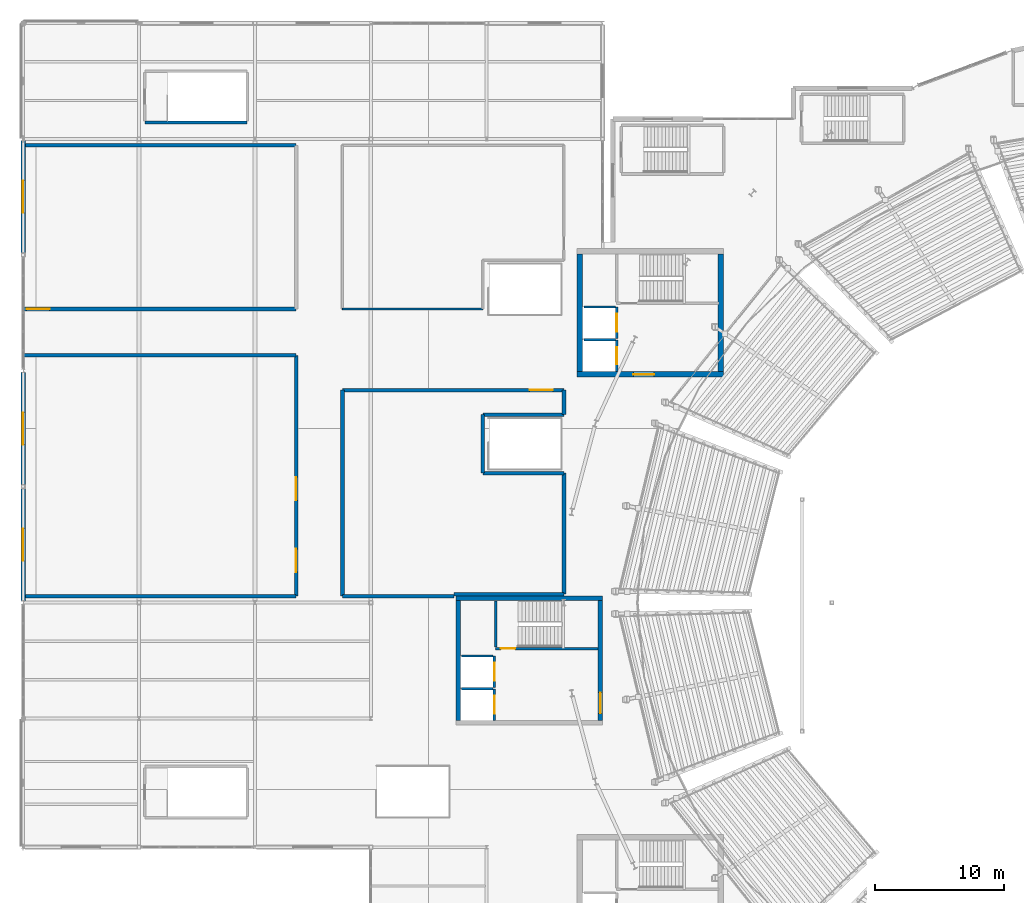
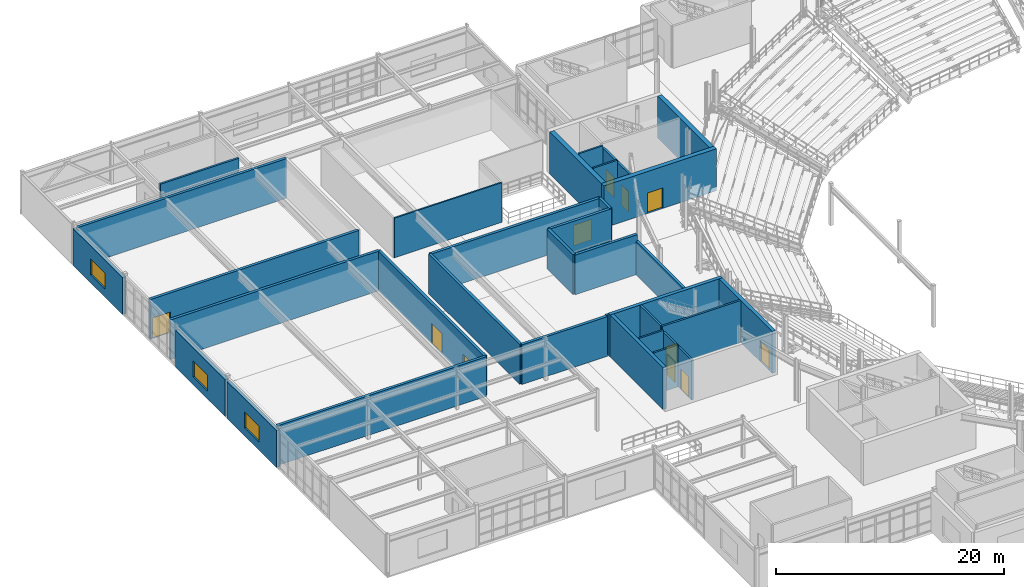
# One storey, part 56 of 81: 35 walls, 11 doors, 3 windows, 14 openings.
"""IFC4 building model written with IfcOpenShell, lengths in metres."""

import ifcopenshell
import ifcopenshell.guid

model = None  # the IFC model being written
_history = None  # IfcOwnerHistory: only IFC2X3 demands one
_inside = {}  # id of a spatial element -> (the spatial element, [elements in it])
_under = {}  # id of a project, library or spatial element -> (it, [spatial elements below it])
_declared = {}  # id of a project -> (the project, [libraries it declares])
_typed = {}  # id of a type object -> (the type object, [elements of that type])
_made_of = {}  # id of a material, layer set ... -> (it, [elements and type objects made of it])


def new_model(schema):
    """Start an empty IFC model of exactly this schema.

    Asked for "IFC4X3", IfcOpenShell would pick the latest addendum, in which some entities
    have other attributes; the version numbers below select the first issue.
    IFC2X3 requires an IfcOwnerHistory on every rooted entity: one is made here for all.
    """
    global model, _history
    if schema == "IFC4X3":
        model = ifcopenshell.file(schema_version=(4, 3, 0, 0))
    else:
        model = ifcopenshell.file(schema=schema)
    _inside.clear()
    _under.clear()
    _declared.clear()
    _typed.clear()
    _made_of.clear()
    _history = None
    if model.schema == "IFC2X3":
        org = make("IfcOrganization", Name="unknown")
        user = make(
            "IfcPersonAndOrganization",
            ThePerson=make("IfcPerson", FamilyName="unknown"),
            TheOrganization=org,
        )
        app = make(
            "IfcApplication",
            ApplicationDeveloper=org,
            Version="unknown",
            ApplicationFullName="unknown",
            ApplicationIdentifier="unknown",
        )
        _history = make(
            "IfcOwnerHistory",
            OwningUser=user,
            OwningApplication=app,
            ChangeAction="ADDED",
            CreationDate=0,
        )
    return model


def make(cls, **values):
    """One entity of the class cls with the attributes given. An attribute that is None is left unset."""
    return model.create_entity(
        cls, **{name: value for name, value in values.items() if value is not None}
    )


def rooted(cls, **values):
    """An entity with a GlobalId (a new one), such as an element, a storey or a relation."""
    return make(cls, GlobalId=ifcopenshell.guid.new(), OwnerHistory=_history, **values)


def si_unit(unit_type, name, prefix=None):
    """IfcSIUnit, for example si_unit("LENGTHUNIT", "METRE", prefix="MILLI")."""
    return make("IfcSIUnit", UnitType=unit_type, Prefix=prefix, Name=name)


def assignment(units):
    """IfcUnitAssignment: the units of a project."""
    return None if units is None else make("IfcUnitAssignment", Units=units)


def point(xyz):
    """IfcCartesianPoint."""
    return None if xyz is None else make("IfcCartesianPoint", Coordinates=xyz)


def direction(xyz):
    """IfcDirection."""
    return None if xyz is None else make("IfcDirection", DirectionRatios=xyz)


def frame(location, z_axis=None, x_axis=None):
    """IfcAxis2Placement3D, a coordinate frame: its origin and axes. An axis left out is left unset."""
    return make(
        "IfcAxis2Placement3D",
        Location=point(location),
        Axis=direction(z_axis),
        RefDirection=direction(x_axis),
    )


def frame_2d(location, x_axis=None):
    """IfcAxis2Placement2D, a coordinate frame in the plane: its origin and x axis."""
    return make(
        "IfcAxis2Placement2D", Location=point(location), RefDirection=direction(x_axis)
    )


def origin():
    """The frame at (0, 0, 0) with its axes left unset."""
    return frame((0.0, 0.0, 0.0))


def place(relative_to, where):
    """IfcLocalPlacement: puts the frame where relative to a parent placement (None: the world)."""
    return make(
        "IfcLocalPlacement", PlacementRelTo=relative_to, RelativePlacement=where
    )


def context(
    kind, dimensions, precision=None, world=None, true_north=None, identifier=None
):
    """IfcGeometricRepresentationContext, for example the 3D "Model" context."""
    return make(
        "IfcGeometricRepresentationContext",
        ContextIdentifier=identifier,
        ContextType=kind,
        CoordinateSpaceDimension=dimensions,
        Precision=precision,
        WorldCoordinateSystem=world,
        TrueNorth=true_north,
    )


def subcontext(parent, identifier, kind, view, scale=None):
    """IfcGeometricRepresentationSubContext, for example "Body" below "Model"."""
    return make(
        "IfcGeometricRepresentationSubContext",
        ContextIdentifier=identifier,
        ContextType=kind,
        ParentContext=parent,
        TargetScale=scale,
        TargetView=view,
    )


def project(units=None, contexts=None):
    """IfcProject with its units and contexts."""
    return rooted(
        "IfcProject",
        Name="project",
        RepresentationContexts=contexts,
        UnitsInContext=assignment(units),
    )


def spatial(cls, under=None, at=None, **own):
    """A site, building, storey or space (cls), placed at a placement, below another one or the project."""
    s = rooted(cls, ObjectPlacement=at, **own)
    if under is not None:
        _under.setdefault(under.id(), (under, []))[1].append(s)
    return s


def profile(cls, at=None, kind="AREA", **sizes):
    """A parametric profile (cls). Its sizes go by their IFC names, for example OverallWidth=200.0."""
    return make(cls, ProfileType=kind, Position=at, **sizes)


def rectangle(**sizes):
    """IfcRectangleProfileDef."""
    return profile("IfcRectangleProfileDef", **sizes)


def extrude(swept, where, along, depth):
    """IfcExtrudedAreaSolid: the profile swept, set in the frame where, extruded along a direction by depth."""
    return make(
        "IfcExtrudedAreaSolid",
        SweptArea=swept,
        Position=where,
        ExtrudedDirection=direction(along),
        Depth=depth,
    )


def shape(context_of_items, identifier, shape_type, items):
    """IfcShapeRepresentation: the items that make up one representation, for example the "Body"."""
    return make(
        "IfcShapeRepresentation",
        ContextOfItems=context_of_items,
        RepresentationIdentifier=identifier,
        RepresentationType=shape_type,
        Items=items,
    )


def material(Name=None, Category=None):
    """IfcMaterial."""
    return make("IfcMaterial", Name=Name, Category=Category)


def layer(
    of_material, thickness, ventilated=None, Name=None, Category=None, Priority=None
):
    """IfcMaterialLayer: one layer of a wall or slab, of a material (None: an air gap)."""
    return make(
        "IfcMaterialLayer",
        Material=of_material,
        LayerThickness=thickness,
        IsVentilated=ventilated,
        Name=Name,
        Category=Category,
        Priority=Priority,
    )


def layer_set(layers, Name=None):
    """IfcMaterialLayerSet."""
    return make("IfcMaterialLayerSet", MaterialLayers=layers, LayerSetName=Name)


def made_of(thing, what):
    """Note that an element or type object is made of a material, layer set ...; save() writes the relation."""
    if what is not None:
        _made_of.setdefault(what.id(), (what, []))[1].append(thing)
    return thing


def type_object(cls, material=None, **own):
    """A type object (cls), such as IfcWallType, which elements share."""
    return made_of(rooted(cls, **own), material)


def element(
    cls,
    number,
    at=None,
    inside=None,
    cuts=None,
    type_object=None,
    material=None,
    context=None,
    identifier="Body",
    shape_type=None,
    held_by="IfcProductDefinitionShape",
    body=None,
    shapes=None,
    **own,
):
    """One element of the class cls, such as IfcWall. Its Tag is "e" and its number.

    at: its placement. inside: the storey or other place that contains it. cuts: it is an
    opening in that element (IfcRelVoidsElement). A single representation is given by context,
    identifier, shape_type and body (its items); several are given by shapes. held_by: the class
    of the entity that holds the representations. save() writes the other relations.
    """
    e = rooted(cls, Tag="e%d" % number, ObjectPlacement=at, **own)
    if body is not None:
        shapes = [shape(context, identifier, shape_type, body)]
    if shapes is not None:
        e.Representation = make(held_by, Representations=shapes)
    if inside is not None:
        _inside.setdefault(inside.id(), (inside, []))[1].append(e)
    if cuts is not None:
        rooted(
            "IfcRelVoidsElement", RelatingBuildingElement=cuts, RelatedOpeningElement=e
        )
    if type_object is not None:
        _typed.setdefault(type_object.id(), (type_object, []))[1].append(e)
    return made_of(e, material)


def fill(opening, filler):
    """IfcRelFillsElement: the door or window that sits in an opening."""
    return rooted(
        "IfcRelFillsElement",
        RelatingOpeningElement=opening,
        RelatedBuildingElement=filler,
    )


def aggregate(whole, parts):
    """IfcRelAggregates: a whole, such as a stair, and the parts it consists of."""
    return rooted("IfcRelAggregates", RelatingObject=whole, RelatedObjects=parts)


def save(model, path):
    """Write the relations noted so far, then the file.

    IfcRelAggregates (storeys below a building ...), IfcRelContainedInSpatialStructure (elements
    in a storey), IfcRelDefinesByType, IfcRelAssociatesMaterial and IfcRelDeclares: one each for
    every whole, place, type object, material and project.
    """
    for whole, parts in _under.values():
        aggregate(whole, parts)
    for where, things in _inside.values():
        rooted(
            "IfcRelContainedInSpatialStructure",
            RelatedElements=things,
            RelatingStructure=where,
        )
    for kind, things in _typed.values():
        rooted("IfcRelDefinesByType", RelatedObjects=things, RelatingType=kind)
    for what, things in _made_of.values():
        rooted("IfcRelAssociatesMaterial", RelatedObjects=things, RelatingMaterial=what)
    for by, libraries in _declared.values():
        rooted("IfcRelDeclares", RelatingContext=by, RelatedDefinitions=libraries)
    model.write(path)


model = new_model("IFC4")

# Units and contexts
model_context = context("Model", 3, precision=1e-05, world=origin(), true_north=direction((0.0, 1.0)))
body_context = subcontext(model_context, "Body", "Model", "MODEL_VIEW")
ifc_project = project(units=[si_unit("LENGTHUNIT", "METRE"), si_unit("AREAUNIT", "SQUARE_METRE"), si_unit("VOLUMEUNIT", "CUBIC_METRE"), si_unit("PLANEANGLEUNIT", "RADIAN"), si_unit("MASSUNIT", "GRAM", prefix="KILO")], contexts=[model_context])

# Site, building, storey
site_placement = place(None, origin())
site = spatial("IfcSite", under=ifc_project, at=site_placement, CompositionType="ELEMENT")
building_placement = place(site_placement, origin())
building = spatial("IfcBuilding", under=site, at=building_placement, Name="Glasvene Arena", CompositionType="ELEMENT")
storey_placement = place(building_placement, frame((0.0, 0.0, 15.0)))
storey = spatial("IfcBuildingStorey", under=building, at=storey_placement, Name="L03", CompositionType="ELEMENT", Elevation=15.0)

# Walls
ifc_material_1 = material(Name="Concrete C40/50", Category="concrete")
ifc_layer_1 = layer(ifc_material_1, 0.35009765625)
ifc_layer_set_1 = layer_set([ifc_layer_1], Name="Concrete C40/50")
wall_type_1 = type_object("IfcWallType", Name="WL-CORE-350", PredefinedType="SHEAR", material=ifc_layer_set_1)
wall_1_placement = place(storey_placement, frame((33.60009765625, 73.324951171875, 0.0), z_axis=(0.0, 0.0, 1.0), x_axis=(1.0, 0.0, 0.0)))
element("IfcWall", 1, at=wall_1_placement, inside=storey, type_object=wall_type_1, Name="Core C5 West Media shear wall N L03", PredefinedType="SHEAR", context=body_context, shape_type="SweptSolid", body=[
    extrude(rectangle(XDim=11.39990234375, YDim=0.35009765625, at=frame_2d((5.699951171875, 0.0))), origin(), (0.0, 0.0, 1.0), 4.5),
])
wall_2_placement = place(storey_placement, frame((33.77490234375, 63.85009765625, 0.0), z_axis=(0.0, 0.0, 1.0), x_axis=(0.0, 1.0, 0.0)))
element("IfcWall", 2, at=wall_2_placement, inside=storey, type_object=wall_type_1, Name="Core C5 West Media shear wall W L03", PredefinedType="SHEAR", context=body_context, shape_type="SweptSolid", body=[
    extrude(rectangle(XDim=9.2998046875, YDim=0.35009765625, at=frame_2d((4.64990234375, 0.0))), origin(), (0.0, 0.0, 1.0), 4.5),
])

# Wall, opening, door
wall_3_placement = place(storey_placement, frame((44.824951171875, 63.85009765625, 0.0), z_axis=(0.0, 0.0, 1.0), x_axis=(0.0, 1.0, 0.0)))
wall_3 = element("IfcWall", 3, at=wall_3_placement, inside=storey, type_object=wall_type_1, Name="Core C5 West Media shear wall E L03", PredefinedType="SHEAR", context=body_context, shape_type="SweptSolid", body=[
    extrude(rectangle(XDim=9.2998046875, YDim=0.35009765625, at=frame_2d((4.64990234375, 0.0))), origin(), (0.0, 0.0, 1.0), 4.5),
])
opening_1_placement = place(wall_3_placement, frame((0.550048828125, 0.0, 0.0)))
opening_1 = element("IfcOpeningElement", 4, at=opening_1_placement, cuts=wall_3, Name="Opening D-02", PredefinedType="OPENING", context=body_context, shape_type="SweptSolid", body=[
    extrude(rectangle(XDim=1.60009765625, YDim=2.199951171875, at=frame_2d((0.800048828125, 1.10009765625))), frame((0.0, 0.18505859375, 0.0), z_axis=(0.0, -1.0, 0.0), x_axis=(1.0, 0.0, 0.0)), (0.0, 0.0, 1.0), 0.3701171875),
])
ifc_material_2 = material(Name="Painted fire-resisting steel", Category="steel")
door_type_1 = type_object("IfcDoorType", Name="DR-FD60-1600", OperationType="DOUBLE_DOOR_SINGLE_SWING", PredefinedType="DOOR", material=ifc_material_2)
door_1_placement = place(opening_1_placement, frame((1.60009765625, 0.0, 0.0), z_axis=(0.0, 0.0, 1.0), x_axis=(-1.0, 0.0, 0.0)))
door_1 = element("IfcDoor", 5, at=door_1_placement, inside=storey, type_object=door_type_1, Name="Core firefighting lobby concourse door C5-L03", OperationType="DOUBLE_DOOR_SINGLE_SWING", OverallHeight=2.199951171875, OverallWidth=1.60009765625, PredefinedType="DOOR", context=body_context, shape_type="SweptSolid", body=[
    extrude(rectangle(XDim=1.60009765625, YDim=2.199951171875, at=frame_2d((0.800048828125, 1.10009765625))), frame((0.0, 0.02490234375, 0.0), z_axis=(0.0, -1.0, 0.0), x_axis=(1.0, 0.0, 0.0)), (0.0, 0.0, 1.0), 0.050048828125),
])
fill(opening_1, door_1)

ifc_layer_2 = layer(ifc_material_1, 0.449951171875)
ifc_layer_set_2 = layer_set([ifc_layer_2], Name="Concrete C40/50")
wall_type_2 = type_object("IfcWallType", Name="WL-CORE-450", PredefinedType="SHEAR", material=ifc_layer_set_2)
wall_4_placement = place(storey_placement, frame((43.0, 90.72509765625, 0.0), z_axis=(0.0, 0.0, 1.0), x_axis=(1.0, 0.0, 0.0)))
wall_4 = element("IfcWall", 6, at=wall_4_placement, inside=storey, type_object=wall_type_2, Name="Core C1 North-West shear wall S L03", PredefinedType="SHEAR", context=body_context, shape_type="SweptSolid", body=[
    extrude(rectangle(XDim=11.39990234375, YDim=0.449951171875, at=frame_2d((5.699951171875, 0.0))), origin(), (0.0, 0.0, 1.0), 4.5),
])
opening_2_placement = place(wall_4_placement, frame((4.39990234375, 0.0, 0.0)))
opening_2 = element("IfcOpeningElement", 7, at=opening_2_placement, cuts=wall_4, Name="Opening D-02", PredefinedType="OPENING", context=body_context, shape_type="SweptSolid", body=[
    extrude(rectangle(XDim=1.60009765625, YDim=2.199951171875, at=frame_2d((0.800048828125, 1.10009765625))), frame((0.0, 0.23486328125, 0.0), z_axis=(0.0, -1.0, 0.0), x_axis=(1.0, 0.0, 0.0)), (0.0, 0.0, 1.0), 0.469970703125),
])
door_2_placement = place(opening_2_placement, frame((1.60009765625, 0.0, 0.0), z_axis=(0.0, 0.0, 1.0), x_axis=(-1.0, 0.0, 0.0)))
door_2 = element("IfcDoor", 8, at=door_2_placement, inside=storey, type_object=door_type_1, Name="Core firefighting lobby concourse door C1-L03", OperationType="DOUBLE_DOOR_SINGLE_SWING", OverallHeight=2.199951171875, OverallWidth=1.60009765625, PredefinedType="DOOR", context=body_context, shape_type="SweptSolid", body=[
    extrude(rectangle(XDim=1.60009765625, YDim=2.199951171875, at=frame_2d((0.800048828125, 1.10009765625))), frame((0.0, 0.02490234375, 0.0), z_axis=(0.0, -1.0, 0.0), x_axis=(1.0, 0.0, 0.0)), (0.0, 0.0, 1.0), 0.050048828125),
])
fill(opening_2, door_2)

# Walls
for number, where, z_axis, x_axis, name in (
    (9, (43.22509765625, 90.949951171875, 0.0), (0.0, 0.0, 1.0), (0.0, 1.0, 0.0), "Core C1 North-West shear wall W L03"),
    (10, (54.175048828125, 90.949951171875, 0.0), (0.0, 0.0, 1.0), (0.0, 1.0, 0.0), "Core C1 North-West shear wall E L03"),
):
    element("IfcWall", number, at=place(storey_placement, frame(where, z_axis=z_axis, x_axis=x_axis)), inside=storey, type_object=wall_type_2, Name=name, PredefinedType="SHEAR", context=body_context, shape_type="SweptSolid", body=[
        extrude(rectangle(XDim=9.10009765625, YDim=0.449951171875, at=frame_2d((4.550048828125, 0.0))), origin(), (0.0, 0.0, 1.0), 4.5),
    ])

# Wall, opening, window
ifc_material_3 = material(Name="Coursed pale Irish limestone", Category="masonry")
ifc_layer_3 = layer(ifc_material_3, 0.360107421875)
ifc_layer_set_3 = layer_set([ifc_layer_3], Name="Coursed pale Irish limestone")
wall_type_3 = type_object("IfcWallType", Name="WL-EXT-LIM-360", PredefinedType="STANDARD", material=ifc_layer_set_3)
wall_5_placement = place(storey_placement, frame((0.0, 73.132080078125, 0.0), z_axis=(0.0, 0.0, 1.0), x_axis=(0.0, 1.0, 0.0)))
wall_5 = element("IfcWall", 11, at=wall_5_placement, inside=storey, type_object=wall_type_3, Name="External facade wall EW-L03-0184", PredefinedType="STANDARD", context=body_context, shape_type="SweptSolid", body=[
    extrude(rectangle(XDim=8.7158203125, YDim=0.360107421875, at=frame_2d((4.35791015625, 0.0))), origin(), (0.0, 0.0, 1.0), 3.945068359375),
])
opening_3_placement = place(wall_5_placement, frame((3.10791015625, 0.0, 0.85009765625)))
opening_3 = element("IfcOpeningElement", 12, at=opening_3_placement, cuts=wall_5, Name="Opening W-14", PredefinedType="OPENING", context=body_context, shape_type="SweptSolid", body=[
    extrude(rectangle(XDim=2.5, YDim=1.699951171875, at=frame_2d((1.25, 0.85009765625))), frame((0.0, 0.18994140625, 0.0), z_axis=(0.0, -1.0, 0.0), x_axis=(1.0, 0.0, 0.0)), (0.0, 0.0, 1.0), 0.380126953125),
])
ifc_material_4 = material(Name="Low-emissivity laminated double glazing", Category="glass")
window_type = type_object("IfcWindowType", Name="WN-MED-250x170", PartitioningType="DOUBLE_PANEL_VERTICAL", PredefinedType="WINDOW", material=ifc_material_4)
window_1_placement = place(opening_3_placement, origin())
window_1 = element("IfcWindow", 13, at=window_1_placement, inside=storey, type_object=window_type, Name="Facade window WN-MED-250x170 L03-0115", OverallHeight=1.699951171875, OverallWidth=2.5, PartitioningType="SINGLE_PANEL", PredefinedType="WINDOW", context=body_context, shape_type="SweptSolid", body=[
    extrude(rectangle(XDim=2.5, YDim=1.699951171875, at=frame_2d((1.25, 0.85009765625))), frame((0.0, 0.030029296875, 0.0), z_axis=(0.0, -1.0, 0.0), x_axis=(1.0, 0.0, 0.0)), (0.0, 0.0, 1.0), 0.06005859375),
])
fill(opening_3, window_1)

wall_6_placement = place(storey_placement, frame((0.0, 82.152099609375, 0.0), z_axis=(0.0, 0.0, 1.0), x_axis=(0.0, 1.0, 0.0)))
wall_6 = element("IfcWall", 14, at=wall_6_placement, inside=storey, type_object=wall_type_3, Name="External facade wall EW-L03-0185", PredefinedType="STANDARD", context=body_context, shape_type="SweptSolid", body=[
    extrude(rectangle(XDim=8.7158203125, YDim=0.360107421875, at=frame_2d((4.35791015625, 0.0))), origin(), (0.0, 0.0, 1.0), 3.945068359375),
])
opening_4_placement = place(wall_6_placement, frame((3.10791015625, 0.0, 0.85009765625)))
opening_4 = element("IfcOpeningElement", 15, at=opening_4_placement, cuts=wall_6, Name="Opening W-14", PredefinedType="OPENING", context=body_context, shape_type="SweptSolid", body=[
    extrude(rectangle(XDim=2.5, YDim=1.699951171875, at=frame_2d((1.25, 0.85009765625))), frame((0.0, 0.18994140625, 0.0), z_axis=(0.0, -1.0, 0.0), x_axis=(1.0, 0.0, 0.0)), (0.0, 0.0, 1.0), 0.380126953125),
])
window_2_placement = place(opening_4_placement, origin())
window_2 = element("IfcWindow", 16, at=window_2_placement, inside=storey, type_object=window_type, Name="Facade window WN-MED-250x170 L03-0116", OverallHeight=1.699951171875, OverallWidth=2.5, PartitioningType="SINGLE_PANEL", PredefinedType="WINDOW", context=body_context, shape_type="SweptSolid", body=[
    extrude(rectangle(XDim=2.5, YDim=1.699951171875, at=frame_2d((1.25, 0.85009765625))), frame((0.0, 0.030029296875, 0.0), z_axis=(0.0, -1.0, 0.0), x_axis=(1.0, 0.0, 0.0)), (0.0, 0.0, 1.0), 0.06005859375),
])
fill(opening_4, window_2)

wall_7_placement = place(storey_placement, frame((0.0, 100.152099609375, 0.0), z_axis=(0.0, 0.0, 1.0), x_axis=(0.0, 1.0, 0.0)))
wall_7 = element("IfcWall", 17, at=wall_7_placement, inside=storey, type_object=wall_type_3, Name="External facade wall EW-L03-0186", PredefinedType="STANDARD", context=body_context, shape_type="SweptSolid", body=[
    extrude(rectangle(XDim=8.7158203125, YDim=0.360107421875, at=frame_2d((4.35791015625, 0.0))), origin(), (0.0, 0.0, 1.0), 3.945068359375),
])
opening_5_placement = place(wall_7_placement, frame((3.10791015625, 0.0, 0.85009765625)))
opening_5 = element("IfcOpeningElement", 18, at=opening_5_placement, cuts=wall_7, Name="Opening W-14", PredefinedType="OPENING", context=body_context, shape_type="SweptSolid", body=[
    extrude(rectangle(XDim=2.5, YDim=1.699951171875, at=frame_2d((1.25, 0.85009765625))), frame((0.0, 0.18994140625, 0.0), z_axis=(0.0, -1.0, 0.0), x_axis=(1.0, 0.0, 0.0)), (0.0, 0.0, 1.0), 0.380126953125),
])
window_3_placement = place(opening_5_placement, origin())
window_3 = element("IfcWindow", 19, at=window_3_placement, inside=storey, type_object=window_type, Name="Facade window WN-MED-250x170 L03-0117", OverallHeight=1.699951171875, OverallWidth=2.5, PartitioningType="SINGLE_PANEL", PredefinedType="WINDOW", context=body_context, shape_type="SweptSolid", body=[
    extrude(rectangle(XDim=2.5, YDim=1.699951171875, at=frame_2d((1.25, 0.85009765625))), frame((0.0, 0.030029296875, 0.0), z_axis=(0.0, -1.0, 0.0), x_axis=(1.0, 0.0, 0.0)), (0.0, 0.0, 1.0), 0.06005859375),
])
fill(opening_5, window_3)

# Wall
ifc_material_5 = material(Name="Insulated acoustic metal-stud partition")
ifc_layer_4 = layer(ifc_material_5, 0.14990234375)
ifc_layer_set_4 = layer_set([ifc_layer_4], Name="Insulated acoustic metal-stud partition")
wall_type_4 = type_object("IfcWallType", Name="WL-PART-150", PredefinedType="PARTITIONING", material=ifc_layer_set_4)
wall_8_placement = place(storey_placement, frame((35.699951171875, 95.800048828125, 0.0), z_axis=(0.0, 0.0, 1.0), x_axis=(-1.0, 0.0, 0.0)))
element("IfcWall", 20, at=wall_8_placement, inside=storey, type_object=wall_type_4, Name="Interior partition wall IW-L03-0294 (Media Catering Lounge)", PredefinedType="PARTITIONING", context=body_context, shape_type="SweptSolid", body=[
    extrude(rectangle(XDim=10.89990234375, YDim=0.14990234375, at=frame_2d((5.449951171875, 0.0))), origin(), (0.0, 0.0, 1.0), 4.25),
])

# Wall, opening, door
ifc_layer_5 = layer(ifc_material_1, 0.199951171875)
ifc_layer_set_5 = layer_set([ifc_layer_5], Name="Concrete C40/50")
wall_type_5 = type_object("IfcWallType", Name="WL-SHAFT-200", PredefinedType="SHEAR", material=ifc_layer_set_5)
wall_9_placement = place(storey_placement, frame((46.10009765625, 90.949951171875, 0.0), z_axis=(0.0, 0.0, 1.0), x_axis=(0.0, 1.0, 0.0)))
wall_9 = element("IfcWall", 21, at=wall_9_placement, inside=storey, type_object=wall_type_5, Name="Lift shaft front wall FFL-01 L03", PredefinedType="SHEAR", context=body_context, shape_type="SweptSolid", body=[
    extrude(rectangle(XDim=2.449951171875, YDim=0.199951171875, at=frame_2d((1.22509765625, 0.0))), origin(), (0.0, 0.0, 1.0), 4.25),
])
opening_6_placement = place(wall_9_placement, frame((0.574951171875, 0.0, 0.0)))
opening_6 = element("IfcOpeningElement", 22, at=opening_6_placement, cuts=wall_9, Name="Opening LD-FF", PredefinedType="OPENING", context=body_context, shape_type="SweptSolid", body=[
    extrude(rectangle(XDim=1.300048828125, YDim=2.199951171875, at=frame_2d((0.64990234375, 1.10009765625))), frame((0.0, 0.10986328125, 0.0), z_axis=(0.0, -1.0, 0.0), x_axis=(1.0, 0.0, 0.0)), (0.0, 0.0, 1.0), 0.219970703125),
])
ifc_material_6 = material(Name="Brushed stainless steel", Category="steel")
door_type_2 = type_object("IfcDoorType", Name="LD-FFL-1300", OperationType="DOUBLE_DOOR_SLIDING", PredefinedType="DOOR", material=ifc_material_6)
door_3_placement = place(opening_6_placement, origin())
door_3 = element("IfcDoor", 23, at=door_3_placement, inside=storey, type_object=door_type_2, Name="Lift sliding landing door LD-FFL-01-L03", OperationType="DOUBLE_DOOR_SLIDING", OverallHeight=2.199951171875, OverallWidth=1.300048828125, PredefinedType="DOOR", context=body_context, shape_type="SweptSolid", body=[
    extrude(rectangle(XDim=1.300048828125, YDim=2.199951171875, at=frame_2d((0.64990234375, 1.10009765625))), frame((0.0, 0.02490234375, 0.0), z_axis=(0.0, -1.0, 0.0), x_axis=(1.0, 0.0, 0.0)), (0.0, 0.0, 1.0), 0.050048828125),
])
fill(opening_6, door_3)

wall_10_placement = place(storey_placement, frame((46.10009765625, 93.5, 0.0), z_axis=(0.0, 0.0, 1.0), x_axis=(0.0, 1.0, 0.0)))
wall_10 = element("IfcWall", 24, at=wall_10_placement, inside=storey, type_object=wall_type_5, Name="Lift shaft front wall PL-01 L03", PredefinedType="SHEAR", context=body_context, shape_type="SweptSolid", body=[
    extrude(rectangle(XDim=2.449951171875, YDim=0.199951171875, at=frame_2d((1.22509765625, 0.0))), origin(), (0.0, 0.0, 1.0), 4.25),
])
opening_7_placement = place(wall_10_placement, frame((0.52490234375, 0.0, 0.0)))
opening_7 = element("IfcOpeningElement", 25, at=opening_7_placement, cuts=wall_10, Name="Opening LD-PL", PredefinedType="OPENING", context=body_context, shape_type="SweptSolid", body=[
    extrude(rectangle(XDim=1.39990234375, YDim=2.199951171875, at=frame_2d((0.699951171875, 1.10009765625))), frame((0.0, 0.10986328125, 0.0), z_axis=(0.0, -1.0, 0.0), x_axis=(1.0, 0.0, 0.0)), (0.0, 0.0, 1.0), 0.219970703125),
])
door_type_3 = type_object("IfcDoorType", Name="LD-PL-1400", OperationType="DOUBLE_DOOR_SLIDING", PredefinedType="DOOR", material=ifc_material_6)
door_4_placement = place(opening_7_placement, origin())
door_4 = element("IfcDoor", 26, at=door_4_placement, inside=storey, type_object=door_type_3, Name="Lift sliding landing door LD-PL-01-L03", OperationType="DOUBLE_DOOR_SLIDING", OverallHeight=2.199951171875, OverallWidth=1.39990234375, PredefinedType="DOOR", context=body_context, shape_type="SweptSolid", body=[
    extrude(rectangle(XDim=1.39990234375, YDim=2.199951171875, at=frame_2d((0.699951171875, 1.10009765625))), frame((0.0, 0.02490234375, 0.0), z_axis=(0.0, -1.0, 0.0), x_axis=(1.0, 0.0, 0.0)), (0.0, 0.0, 1.0), 0.050048828125),
])
fill(opening_7, door_4)

wall_11_placement = place(storey_placement, frame((36.60009765625, 63.85009765625, 0.0), z_axis=(0.0, 0.0, 1.0), x_axis=(0.0, 1.0, 0.0)))
wall_11 = element("IfcWall", 27, at=wall_11_placement, inside=storey, type_object=wall_type_5, Name="Lift shaft front wall PL-05 L03", PredefinedType="SHEAR", context=body_context, shape_type="SweptSolid", body=[
    extrude(rectangle(XDim=2.449951171875, YDim=0.199951171875, at=frame_2d((1.22509765625, 0.0))), origin(), (0.0, 0.0, 1.0), 4.25),
])
opening_8_placement = place(wall_11_placement, frame((0.52490234375, 0.0, 0.0)))
opening_8 = element("IfcOpeningElement", 28, at=opening_8_placement, cuts=wall_11, Name="Opening LD-PL", PredefinedType="OPENING", context=body_context, shape_type="SweptSolid", body=[
    extrude(rectangle(XDim=1.39990234375, YDim=2.199951171875, at=frame_2d((0.699951171875, 1.10009765625))), frame((0.0, 0.10986328125, 0.0), z_axis=(0.0, -1.0, 0.0), x_axis=(1.0, 0.0, 0.0)), (0.0, 0.0, 1.0), 0.219970703125),
])
door_5_placement = place(opening_8_placement, origin())
door_5 = element("IfcDoor", 29, at=door_5_placement, inside=storey, type_object=door_type_3, Name="Lift sliding landing door LD-PL-05-L03", OperationType="DOUBLE_DOOR_SLIDING", OverallHeight=2.199951171875, OverallWidth=1.39990234375, PredefinedType="DOOR", context=body_context, shape_type="SweptSolid", body=[
    extrude(rectangle(XDim=1.39990234375, YDim=2.199951171875, at=frame_2d((0.699951171875, 1.10009765625))), frame((0.0, 0.02490234375, 0.0), z_axis=(0.0, -1.0, 0.0), x_axis=(1.0, 0.0, 0.0)), (0.0, 0.0, 1.0), 0.050048828125),
])
fill(opening_8, door_5)

wall_12_placement = place(storey_placement, frame((36.60009765625, 66.39990234375, 0.0), z_axis=(0.0, 0.0, 1.0), x_axis=(0.0, 1.0, 0.0)))
wall_12 = element("IfcWall", 30, at=wall_12_placement, inside=storey, type_object=wall_type_5, Name="Lift shaft front wall PL-06 L03", PredefinedType="SHEAR", context=body_context, shape_type="SweptSolid", body=[
    extrude(rectangle(XDim=2.4501953125, YDim=0.199951171875, at=frame_2d((1.22509765625, 0.0))), origin(), (0.0, 0.0, 1.0), 4.25),
])
opening_9_placement = place(wall_12_placement, frame((0.52490234375, 0.0, 0.0)))
opening_9 = element("IfcOpeningElement", 31, at=opening_9_placement, cuts=wall_12, Name="Opening LD-PL", PredefinedType="OPENING", context=body_context, shape_type="SweptSolid", body=[
    extrude(rectangle(XDim=1.39990234375, YDim=2.199951171875, at=frame_2d((0.699951171875, 1.10009765625))), frame((0.0, 0.10986328125, 0.0), z_axis=(0.0, -1.0, 0.0), x_axis=(1.0, 0.0, 0.0)), (0.0, 0.0, 1.0), 0.219970703125),
])
door_6_placement = place(opening_9_placement, origin())
door_6 = element("IfcDoor", 32, at=door_6_placement, inside=storey, type_object=door_type_3, Name="Lift sliding landing door LD-PL-06-L03", OperationType="DOUBLE_DOOR_SLIDING", OverallHeight=2.199951171875, OverallWidth=1.39990234375, PredefinedType="DOOR", context=body_context, shape_type="SweptSolid", body=[
    extrude(rectangle(XDim=1.39990234375, YDim=2.199951171875, at=frame_2d((0.699951171875, 1.10009765625))), frame((0.0, 0.02490234375, 0.0), z_axis=(0.0, -1.0, 0.0), x_axis=(1.0, 0.0, 0.0)), (0.0, 0.0, 1.0), 0.050048828125),
])
fill(opening_9, door_6)

wall_13_placement = place(storey_placement, frame((36.699951171875, 69.429931640625, 0.0), z_axis=(0.0, 0.0, 1.0), x_axis=(1.0, 0.0, 0.0)))
wall_13 = element("IfcWall", 33, at=wall_13_placement, inside=storey, type_object=wall_type_5, Name="Escape stair shaft wall ST-07 L03 S", PredefinedType="SHEAR", context=body_context, shape_type="SweptSolid", body=[
    extrude(rectangle(XDim=7.949951171875, YDim=0.199951171875, at=frame_2d((3.97509765625, 0.0))), origin(), (0.0, 0.0, 1.0), 4.5),
])
opening_10_placement = place(wall_13_placement, frame((0.39990234375, 0.0, 0.0)))
opening_10 = element("IfcOpeningElement", 34, at=opening_10_placement, cuts=wall_13, Name="Opening D-04", PredefinedType="OPENING", context=body_context, shape_type="SweptSolid", body=[
    extrude(rectangle(XDim=1.10009765625, YDim=2.14990234375, at=frame_2d((0.550048828125, 1.074951171875))), frame((0.0, 0.10986328125, 0.0), z_axis=(0.0, -1.0, 0.0), x_axis=(1.0, 0.0, 0.0)), (0.0, 0.0, 1.0), 0.219970703125),
])
door_type_4 = type_object("IfcDoorType", Name="DR-FD60-1100", OperationType="NOTDEFINED", PredefinedType="DOOR", material=ifc_material_2)
door_7_placement = place(opening_10_placement, frame((1.10009765625, 0.0, 0.0), z_axis=(0.0, 0.0, 1.0), x_axis=(-1.0, 0.0, 0.0)))
door_7 = element("IfcDoor", 35, at=door_7_placement, inside=storey, type_object=door_type_4, Name="Protected escape stair door ST-07 L03", OperationType="SINGLE_SWING_RIGHT", OverallHeight=2.14990234375, OverallWidth=1.10009765625, PredefinedType="DOOR", context=body_context, shape_type="SweptSolid", body=[
    extrude(rectangle(XDim=1.10009765625, YDim=2.14990234375, at=frame_2d((0.550048828125, 1.074951171875))), frame((0.0, 0.02490234375, 0.0), z_axis=(0.0, -1.0, 0.0), x_axis=(1.0, 0.0, 0.0)), (0.0, 0.0, 1.0), 0.050048828125),
])
fill(opening_10, door_7)

# Walls
wall_14_placement = place(storey_placement, frame((36.699951171875, 69.531982421875, 0.0), z_axis=(0.0, 0.0, 1.0), x_axis=(0.0, 1.0, 0.0)))
element("IfcWall", 36, at=wall_14_placement, inside=storey, type_object=wall_type_5, Name="Escape stair shaft wall ST-07 L03 W", PredefinedType="SHEAR", context=body_context, shape_type="SweptSolid", body=[
    extrude(rectangle(XDim=3.5859375, YDim=0.199951171875, at=frame_2d((1.79296875, 0.0))), origin(), (0.0, 0.0, 1.0), 4.5),
])
wall_15_placement = place(storey_placement, frame((9.449951171875, 110.280029296875, 0.0), z_axis=(0.0, 0.0, 1.0), x_axis=(1.0, 0.0, 0.0)))
element("IfcWall", 37, at=wall_15_placement, inside=storey, type_object=wall_type_5, Name="Escape stair shaft wall ST-14 L03 S", PredefinedType="SHEAR", context=body_context, shape_type="SweptSolid", body=[
    extrude(rectangle(XDim=7.949951171875, YDim=0.199951171875, at=frame_2d((3.97509765625, 0.0))), origin(), (0.0, 0.0, 1.0), 4.5),
])
ifc_material_7 = material(Name="Twin-frame acoustic gypsum partition")
ifc_layer_6 = layer(ifc_material_7, 0.280029296875)
ifc_layer_set_6 = layer_set([ifc_layer_6], Name="Twin-frame acoustic gypsum partition")
wall_type_6 = type_object("IfcWallType", Name="WL-STUDIO-280", PredefinedType="PARTITIONING", material=ifc_layer_set_6)
wall_16_placement = place(storey_placement, frame((0.02001953125, 92.199951171875, 0.0), z_axis=(0.0, 0.0, 1.0), x_axis=(1.0, 0.0, 0.0)))
element("IfcWall", 38, at=wall_16_placement, inside=storey, type_object=wall_type_6, Name="Interior partition wall IW-L03-0279 (Written Press Conference Room)", PredefinedType="PARTITIONING", context=body_context, shape_type="SweptSolid", body=[
    extrude(rectangle(XDim=21.179931640625, YDim=0.280029296875, at=frame_2d((10.58984375, 0.0))), origin(), (0.0, 0.0, 1.0), 4.25),
])

# Wall, openings, doors
wall_17_placement = place(storey_placement, frame((21.199951171875, 92.199951171875, 0.0), z_axis=(0.0, 0.0, 1.0), x_axis=(0.0, -1.0, 0.0)))
wall_17 = element("IfcWall", 39, at=wall_17_placement, inside=storey, type_object=wall_type_6, Name="Interior partition wall IW-L03-0280 (Written Press Conference Room)", PredefinedType="PARTITIONING", context=body_context, shape_type="SweptSolid", body=[
    extrude(rectangle(XDim=18.699951171875, YDim=0.280029296875, at=frame_2d((9.35009765625, 0.0))), origin(), (0.0, 0.0, 1.0), 4.25),
])
opening_11_placement = place(wall_17_placement, frame((15.02587890625, 0.0, 0.0)))
opening_11 = element("IfcOpeningElement", 40, at=opening_11_placement, cuts=wall_17, Name="Opening D-01", PredefinedType="OPENING", context=body_context, shape_type="SweptSolid", body=[
    extrude(rectangle(XDim=1.800048828125, YDim=2.199951171875, at=frame_2d((0.89990234375, 1.10009765625))), frame((0.0, 0.14990234375, 0.0), z_axis=(0.0, -1.0, 0.0), x_axis=(1.0, 0.0, 0.0)), (0.0, 0.0, 1.0), 0.300048828125),
])
opening_12_placement = place(wall_17_placement, frame((9.4619140625, 0.0, 0.0)))
opening_12 = element("IfcOpeningElement", 41, at=opening_12_placement, cuts=wall_17, Name="Opening D-01", PredefinedType="OPENING", context=body_context, shape_type="SweptSolid", body=[
    extrude(rectangle(XDim=1.800048828125, YDim=2.199951171875, at=frame_2d((0.89990234375, 1.10009765625))), frame((0.0, 0.14990234375, 0.0), z_axis=(0.0, -1.0, 0.0), x_axis=(1.0, 0.0, 0.0)), (0.0, 0.0, 1.0), 0.300048828125),
])
door_type_5 = type_object("IfcDoorType", Name="DR-FD60-1800", OperationType="DOUBLE_DOOR_SINGLE_SWING", PredefinedType="DOOR", material=ifc_material_2)
door_8_placement = place(opening_11_placement, origin())
door_8 = element("IfcDoor", 42, at=door_8_placement, inside=storey, type_object=door_type_5, Name="Interior door DR-FD60-1800 (Written Press Conference Room)", OperationType="DOUBLE_DOOR_SINGLE_SWING", OverallHeight=2.199951171875, OverallWidth=1.800048828125, PredefinedType="DOOR", context=body_context, shape_type="SweptSolid", body=[
    extrude(rectangle(XDim=1.800048828125, YDim=2.199951171875, at=frame_2d((0.89990234375, 1.10009765625))), frame((0.0, 0.02490234375, 0.0), z_axis=(0.0, -1.0, 0.0), x_axis=(1.0, 0.0, 0.0)), (0.0, 0.0, 1.0), 0.050048828125),
])
fill(opening_11, door_8)
door_9_placement = place(opening_12_placement, origin())
door_9 = element("IfcDoor", 43, at=door_9_placement, inside=storey, type_object=door_type_5, Name="Interior door DR-FD60-1800 (Written Press Conference Room)", OperationType="DOUBLE_DOOR_SINGLE_SWING", OverallHeight=2.199951171875, OverallWidth=1.800048828125, PredefinedType="DOOR", context=body_context, shape_type="SweptSolid", body=[
    extrude(rectangle(XDim=1.800048828125, YDim=2.199951171875, at=frame_2d((0.89990234375, 1.10009765625))), frame((0.0, 0.02490234375, 0.0), z_axis=(0.0, -1.0, 0.0), x_axis=(1.0, 0.0, 0.0)), (0.0, 0.0, 1.0), 0.050048828125),
])
fill(opening_12, door_9)

# Walls
wall_18_placement = place(storey_placement, frame((21.199951171875, 73.5, 0.0), z_axis=(0.0, 0.0, 1.0), x_axis=(-1.0, 0.0, 0.0)))
element("IfcWall", 44, at=wall_18_placement, inside=storey, type_object=wall_type_6, Name="Interior partition wall IW-L03-0281 (Written Press Conference Room)", PredefinedType="PARTITIONING", context=body_context, shape_type="SweptSolid", body=[
    extrude(rectangle(XDim=21.159912109375, YDim=0.280029296875, at=frame_2d((10.580078125, 0.0))), origin(), (0.0, 0.0, 1.0), 4.25),
])
wall_19_placement = place(storey_placement, frame((33.449951171875, 73.5, 0.0), z_axis=(0.0, 0.0, 1.0), x_axis=(-1.0, 0.0, 0.0)))
element("IfcWall", 45, at=wall_19_placement, inside=storey, type_object=wall_type_6, Name="Interior partition wall IW-L03-0282 (Photographer and Media Workroom)", PredefinedType="PARTITIONING", context=body_context, shape_type="SweptSolid", body=[
    extrude(rectangle(XDim=8.64990234375, YDim=0.280029296875, at=frame_2d((4.324951171875, 0.0))), origin(), (0.0, 0.0, 1.0), 4.25),
])
wall_20_placement = place(storey_placement, frame((24.800048828125, 73.5, 0.0), z_axis=(0.0, 0.0, 1.0), x_axis=(0.0, 1.0, 0.0)))
element("IfcWall", 46, at=wall_20_placement, inside=storey, type_object=wall_type_6, Name="Interior partition wall IW-L03-0283 (Photographer and Media Workroom)", PredefinedType="PARTITIONING", context=body_context, shape_type="SweptSolid", body=[
    extrude(rectangle(XDim=16.0, YDim=0.280029296875, at=frame_2d((8.0, 0.0))), origin(), (0.0, 0.0, 1.0), 4.25),
])

# Wall, opening, door
wall_21_placement = place(storey_placement, frame((24.800048828125, 89.5, 0.0), z_axis=(0.0, 0.0, 1.0), x_axis=(1.0, 0.0, 0.0)))
wall_21 = element("IfcWall", 47, at=wall_21_placement, inside=storey, type_object=wall_type_6, Name="Interior partition wall IW-L03-0284 (Photographer and Media Workroom)", PredefinedType="PARTITIONING", context=body_context, shape_type="SweptSolid", body=[
    extrude(rectangle(XDim=17.199951171875, YDim=0.280029296875, at=frame_2d((8.60009765625, 0.0))), origin(), (0.0, 0.0, 1.0), 4.25),
])
opening_13_placement = place(wall_21_placement, frame((14.537109375, 0.0, 0.0)))
opening_13 = element("IfcOpeningElement", 48, at=opening_13_placement, cuts=wall_21, Name="Opening D-01", PredefinedType="OPENING", context=body_context, shape_type="SweptSolid", body=[
    extrude(rectangle(XDim=1.800048828125, YDim=2.199951171875, at=frame_2d((0.89990234375, 1.10009765625))), frame((0.0, 0.14990234375, 0.0), z_axis=(0.0, -1.0, 0.0), x_axis=(1.0, 0.0, 0.0)), (0.0, 0.0, 1.0), 0.300048828125),
])
door_10_placement = place(opening_13_placement, origin())
door_10 = element("IfcDoor", 49, at=door_10_placement, inside=storey, type_object=door_type_5, Name="Interior door DR-FD60-1800 (Photographer and Media Workroom)", OperationType="DOUBLE_DOOR_SINGLE_SWING", OverallHeight=2.199951171875, OverallWidth=1.800048828125, PredefinedType="DOOR", context=body_context, shape_type="SweptSolid", body=[
    extrude(rectangle(XDim=1.800048828125, YDim=2.199951171875, at=frame_2d((0.89990234375, 1.10009765625))), frame((0.0, 0.02490234375, 0.0), z_axis=(0.0, -1.0, 0.0), x_axis=(1.0, 0.0, 0.0)), (0.0, 0.0, 1.0), 0.050048828125),
])
fill(opening_13, door_10)

# Walls
wall_22_placement = place(storey_placement, frame((42.0, 89.5, 0.0), z_axis=(0.0, 0.0, 1.0), x_axis=(0.0, -1.0, 0.0)))
element("IfcWall", 50, at=wall_22_placement, inside=storey, type_object=wall_type_6, Name="Interior partition wall IW-L03-0285 (Photographer and Media Workroom)", PredefinedType="PARTITIONING", context=body_context, shape_type="SweptSolid", body=[
    extrude(rectangle(XDim=1.89990234375, YDim=0.280029296875, at=frame_2d((0.949951171875, 0.0))), origin(), (0.0, 0.0, 1.0), 4.25),
])
wall_23_placement = place(storey_placement, frame((42.0, 87.60009765625, 0.0), z_axis=(0.0, 0.0, 1.0), x_axis=(-1.0, 0.0, 0.0)))
element("IfcWall", 51, at=wall_23_placement, inside=storey, type_object=wall_type_6, Name="Interior partition wall IW-L03-0286 (Photographer and Media Workroom)", PredefinedType="PARTITIONING", context=body_context, shape_type="SweptSolid", body=[
    extrude(rectangle(XDim=6.300048828125, YDim=0.280029296875, at=frame_2d((3.14990234375, 0.0))), origin(), (0.0, 0.0, 1.0), 4.25),
])
wall_24_placement = place(storey_placement, frame((35.699951171875, 87.60009765625, 0.0), z_axis=(0.0, 0.0, 1.0), x_axis=(0.0, -1.0, 0.0)))
element("IfcWall", 52, at=wall_24_placement, inside=storey, type_object=wall_type_6, Name="Interior partition wall IW-L03-0287 (Photographer and Media Workroom)", PredefinedType="PARTITIONING", context=body_context, shape_type="SweptSolid", body=[
    extrude(rectangle(XDim=4.550048828125, YDim=0.280029296875, at=frame_2d((2.27490234375, 0.0))), origin(), (0.0, 0.0, 1.0), 4.25),
])
wall_25_placement = place(storey_placement, frame((35.699951171875, 83.050048828125, 0.0), z_axis=(0.0, 0.0, 1.0), x_axis=(1.0, 0.0, 0.0)))
element("IfcWall", 53, at=wall_25_placement, inside=storey, type_object=wall_type_6, Name="Interior partition wall IW-L03-0288 (Photographer and Media Workroom)", PredefinedType="PARTITIONING", context=body_context, shape_type="SweptSolid", body=[
    extrude(rectangle(XDim=6.300048828125, YDim=0.280029296875, at=frame_2d((3.14990234375, 0.0))), origin(), (0.0, 0.0, 1.0), 4.25),
])
wall_26_placement = place(storey_placement, frame((42.0, 83.050048828125, 0.0), z_axis=(0.0, 0.0, 1.0), x_axis=(0.0, -1.0, 0.0)))
element("IfcWall", 54, at=wall_26_placement, inside=storey, type_object=wall_type_6, Name="Interior partition wall IW-L03-0289 (Photographer and Media Workroom)", PredefinedType="PARTITIONING", context=body_context, shape_type="SweptSolid", body=[
    extrude(rectangle(XDim=9.400146484375, YDim=0.280029296875, at=frame_2d((4.7001953125, 0.0))), origin(), (0.0, 0.0, 1.0), 3.5615234375),
])
wall_27_placement = place(storey_placement, frame((42.0, 73.64990234375, 0.0), z_axis=(0.0, 0.0, 1.0), x_axis=(-1.0, 0.0, 0.0)))
element("IfcWall", 55, at=wall_27_placement, inside=storey, type_object=wall_type_6, Name="Interior partition wall IW-L03-0290 (Photographer and Media Workroom)", PredefinedType="PARTITIONING", context=body_context, shape_type="SweptSolid", body=[
    extrude(rectangle(XDim=8.550048828125, YDim=0.280029296875, at=frame_2d((4.27490234375, 0.0))), origin(), (0.0, 0.0, 1.0), 4.25),
])
wall_28_placement = place(storey_placement, frame((0.0400390625, 108.5, 0.0), z_axis=(0.0, 0.0, 1.0), x_axis=(1.0, 0.0, 0.0)))
element("IfcWall", 56, at=wall_28_placement, inside=storey, type_object=wall_type_6, Name="Interior partition wall IW-L03-0291 (International Broadcast Compound)", PredefinedType="PARTITIONING", context=body_context, shape_type="SweptSolid", body=[
    extrude(rectangle(XDim=21.159912109375, YDim=0.280029296875, at=frame_2d((10.580078125, 0.0))), origin(), (0.0, 0.0, 1.0), 4.25),
])

# Wall, opening, door
wall_29_placement = place(storey_placement, frame((21.199951171875, 95.800048828125, 0.0), z_axis=(0.0, 0.0, 1.0), x_axis=(-1.0, 0.0, 0.0)))
wall_29 = element("IfcWall", 57, at=wall_29_placement, inside=storey, type_object=wall_type_6, Name="Interior partition wall IW-L03-0293 (International Broadcast Compound)", PredefinedType="PARTITIONING", context=body_context, shape_type="SweptSolid", body=[
    extrude(rectangle(XDim=21.179931640625, YDim=0.280029296875, at=frame_2d((10.58984375, 0.0))), origin(), (0.0, 0.0, 1.0), 4.25),
])
opening_14_placement = place(wall_29_placement, frame((19.1298828125, 0.0, 0.0)))
opening_14 = element("IfcOpeningElement", 58, at=opening_14_placement, cuts=wall_29, Name="Opening D-01", PredefinedType="OPENING", context=body_context, shape_type="SweptSolid", body=[
    extrude(rectangle(XDim=1.800048828125, YDim=2.199951171875, at=frame_2d((0.89990234375, 1.10009765625))), frame((0.0, 0.14990234375, 0.0), z_axis=(0.0, -1.0, 0.0), x_axis=(1.0, 0.0, 0.0)), (0.0, 0.0, 1.0), 0.300048828125),
])
door_11_placement = place(opening_14_placement, origin())
door_11 = element("IfcDoor", 59, at=door_11_placement, inside=storey, type_object=door_type_5, Name="Interior door DR-FD60-1800 (International Broadcast Compound)", OperationType="DOUBLE_DOOR_SINGLE_SWING", OverallHeight=2.199951171875, OverallWidth=1.800048828125, PredefinedType="DOOR", context=body_context, shape_type="SweptSolid", body=[
    extrude(rectangle(XDim=1.800048828125, YDim=2.199951171875, at=frame_2d((0.89990234375, 1.10009765625))), frame((0.0, 0.02490234375, 0.0), z_axis=(0.0, -1.0, 0.0), x_axis=(1.0, 0.0, 0.0)), (0.0, 0.0, 1.0), 0.050048828125),
])
fill(opening_14, door_11)

# Walls
ifc_material_8 = material(Name="Moisture-resistant masonry blockwork", Category="masonry")
ifc_layer_7 = layer(ifc_material_8, 0.179931640625)
ifc_layer_set_7 = layer_set([ifc_layer_7], Name="Moisture-resistant masonry blockwork")
wall_type_7 = type_object("IfcWallType", Name="WL-WET-180", PredefinedType="PARTITIONING", material=ifc_layer_set_7)
for number, where, z_axis, x_axis, name in (
    (60, (43.550048828125, 93.39990234375, 0.0), (0.0, 0.0, 1.0), (1.0, 0.0, 0.0), "Lift shaft divider wall C1 L03"),
    (61, (43.550048828125, 95.949951171875, 0.0), (0.0, 0.0, 1.0), (1.0, 0.0, 0.0), "Lift shaft north enclosure wall C1 L03"),
    (62, (34.050048828125, 66.300048828125, 0.0), (0.0, 0.0, 1.0), (1.0, 0.0, 0.0), "Lift shaft divider wall C5 L03"),
    (63, (34.050048828125, 68.85009765625, 0.0), (0.0, 0.0, 1.0), (1.0, 0.0, 0.0), "Lift shaft north enclosure wall C5 L03"),
):
    element("IfcWall", number, at=place(storey_placement, frame(where, z_axis=z_axis, x_axis=x_axis)), inside=storey, type_object=wall_type_7, Name=name, PredefinedType="PARTITIONING", context=body_context, shape_type="SweptSolid", body=[
        extrude(rectangle(XDim=2.449951171875, YDim=0.179931640625, at=frame_2d((1.22509765625, 0.0))), origin(), (0.0, 0.0, 1.0), 4.5),
    ])

save(model, "model.ifc")
